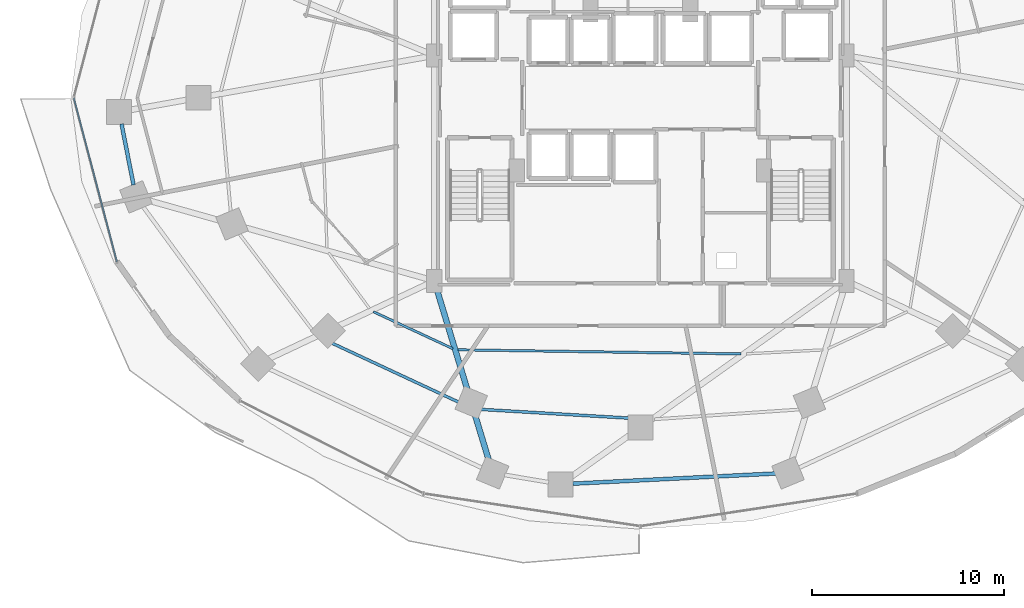
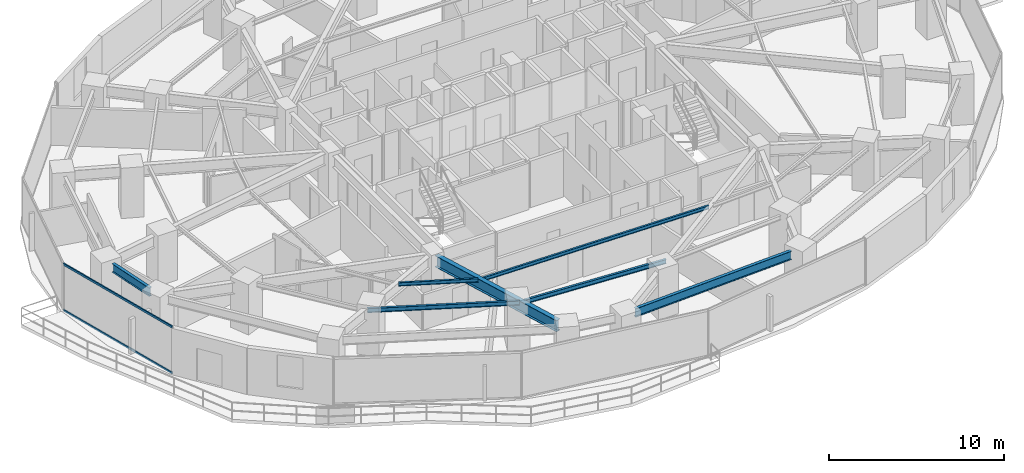
# One storey, part 6 of 33: 7 beams, 2 members, 1 element without a shape of its own.
"""IFC4 building model written with IfcOpenShell, lengths in metres."""

from ifc_helpers import new_model, si_unit, direction, frame, origin, origin_2d, place, context, subcontext, project, spatial, hollow_rectangle, i_section, extrude, material, material_profile, profile_set, type_object, element, aggregate, save


model = new_model("IFC4")

# Units and contexts
model_context = context("Model", 3, precision=1e-05, world=origin(), true_north=direction((0.0, 1.0)))
body_context = subcontext(model_context, "Body", "Model", "MODEL_VIEW")
ifc_project = project(units=[si_unit("LENGTHUNIT", "METRE"), si_unit("AREAUNIT", "SQUARE_METRE"), si_unit("VOLUMEUNIT", "CUBIC_METRE"), si_unit("PLANEANGLEUNIT", "RADIAN"), si_unit("MASSUNIT", "GRAM", prefix="KILO")], contexts=[model_context])

# Site, building, storey
site_placement = place(None, origin())
site = spatial("IfcSite", under=ifc_project, at=site_placement, CompositionType="ELEMENT")
building_placement = place(site_placement, origin())
building = spatial("IfcBuilding", under=site, at=building_placement, Name="Vorneva Point Tower", CompositionType="ELEMENT")
storey_placement = place(building_placement, frame((0.0, 0.0, 34.5)))
storey = spatial("IfcBuildingStorey", under=building, at=storey_placement, Name="L08", CompositionType="ELEMENT", Elevation=34.5)

# Beams
ifc_material_1 = material(Name="Steel S355", Category="steel")
ifc_material_profile_1 = material_profile(ifc_material_1, i_section(OverallWidth=0.300048828125, OverallDepth=0.7880859375, WebThickness=0.014404296875, FlangeThickness=0.02197265625, at=origin_2d()), Name="80Sh1")
ifc_profile_set_1 = profile_set([ifc_material_profile_1], Name="Steel S355")
beam_type_1 = type_object("IfcBeamType", Name="BM-GRD-80Sh1", PredefinedType="USERDEFINED", material=ifc_profile_set_1)
beam_1_placement = place(storey_placement, frame((30.111083984375, 7.045654296875, 2.845947265625), z_axis=(-0.29104183924, 0.956710325967, 0.0), x_axis=(-0.956710325967, -0.29104183924, 0.0)))
element("IfcBeam", 1, at=beam_1_placement, inside=storey, type_object=beam_type_1, Name="L08 Radial Primary Girder 12", ObjectType="GIRDER", PredefinedType="USERDEFINED", context=body_context, shape_type="SweptSolid", body=[
    extrude(i_section(OverallWidth=0.300048828125, OverallDepth=0.7880859375, WebThickness=0.014404296875, FlangeThickness=0.02197265625, at=origin_2d()), origin(), (0.0, 0.0, 1.0), 9.489990234375),
])
ifc_material_profile_2 = material_profile(ifc_material_1, i_section(OverallWidth=0.1240234375, OverallDepth=0.248046875, WebThickness=0.0048828125, FlangeThickness=0.008056640625, at=origin_2d()), Name="25B1")
ifc_profile_set_2 = profile_set([ifc_material_profile_2], Name="Steel S355")
beam_type_2 = type_object("IfcBeamType", Name="BM-JST-25B1", PredefinedType="JOIST", material=ifc_profile_set_2)
beam_2_placement = place(storey_placement, frame((24.078125, 14.839599609375, 3.115966796875), z_axis=(0.906750590893, -0.421667364063, 0.0), x_axis=(0.421667364063, 0.906750590893, 0.0)))
element("IfcBeam", 2, at=beam_2_placement, inside=storey, type_object=beam_type_2, Name="L08 Secondary Floor Beam 2.11", PredefinedType="JOIST", context=body_context, shape_type="SweptSolid", body=[
    extrude(i_section(OverallWidth=0.1240234375, OverallDepth=0.248046875, WebThickness=0.0048828125, FlangeThickness=0.008056640625, at=origin_2d()), origin(), (0.0, 0.0, 1.0), 4.56591796875),
])
beam_3_placement = place(storey_placement, frame((28.4814453125, 12.854248046875, 3.115966796875), z_axis=(0.999894266609, -0.014541513049, 0.0), x_axis=(0.014541513049, 0.999894266609, 0.0)))
element("IfcBeam", 3, at=beam_3_placement, inside=storey, type_object=beam_type_2, Name="L08 Secondary Floor Beam 2.12", PredefinedType="JOIST", context=body_context, shape_type="SweptSolid", body=[
    extrude(i_section(OverallWidth=0.1240234375, OverallDepth=0.248046875, WebThickness=0.0048828125, FlangeThickness=0.008056640625, at=origin_2d()), origin(), (0.0, 0.0, 1.0), 14.7744140625),
])
ifc_material_profile_3 = material_profile(ifc_material_1, i_section(OverallWidth=0.14892578125, OverallDepth=0.298095703125, WebThickness=0.005615234375, FlangeThickness=0.008056640625, at=origin_2d()), Name="30B1")
ifc_profile_set_3 = profile_set([ifc_material_profile_3], Name="Steel S355")
beam_type_3 = type_object("IfcBeamType", Name="BM-JST-30B1", PredefinedType="JOIST", material=ifc_profile_set_3)
beam_4_placement = place(storey_placement, frame((21.2548828125, 13.510498046875, 3.091064453125), z_axis=(0.906403355504, -0.422413253971, 0.0), x_axis=(0.422413253971, 0.906403355504, 0.0)))
element("IfcBeam", 4, at=beam_4_placement, inside=storey, type_object=beam_type_3, Name="L08 Secondary Floor Beam 1.11", PredefinedType="JOIST", context=body_context, shape_type="SweptSolid", body=[
    extrude(i_section(OverallWidth=0.14892578125, OverallDepth=0.298095703125, WebThickness=0.005615234375, FlangeThickness=0.008056640625, at=origin_2d()), origin(), (0.0, 0.0, 1.0), 8.718505859375),
])
beam_5_placement = place(storey_placement, frame((29.42041015625, 9.76123046875, 3.091064453125), z_axis=(0.998280877654, -0.058611341146, 0.0), x_axis=(0.058611341146, 0.998280877654, 0.0)))
element("IfcBeam", 5, at=beam_5_placement, inside=storey, type_object=beam_type_3, Name="L08 Secondary Floor Beam 1.12", PredefinedType="JOIST", context=body_context, shape_type="SweptSolid", body=[
    extrude(i_section(OverallWidth=0.14892578125, OverallDepth=0.298095703125, WebThickness=0.005615234375, FlangeThickness=0.008056640625, at=origin_2d()), origin(), (0.0, 0.0, 1.0), 9.051513671875),
])
ifc_material_profile_4 = material_profile(ifc_material_1, i_section(OverallWidth=0.198974609375, OverallDepth=0.595947265625, WebThickness=0.010009765625, FlangeThickness=0.014892578125, at=origin_2d()), Name="60B1")
ifc_profile_set_4 = profile_set([ifc_material_profile_4], Name="Steel S355")
beam_type_4 = type_object("IfcBeamType", Name="BM-SPN-60B1", PredefinedType="SPANDREL", material=ifc_profile_set_4)
beam_6_placement = place(storey_placement, frame((10.940185546875, 24.6376953125, 2.94189453125), z_axis=(0.192701334008, -0.981257456467, 0.0), x_axis=(0.981257456467, 0.192701334008, 0.0)))
element("IfcBeam", 6, at=beam_6_placement, inside=storey, type_object=beam_type_4, Name="L08 Perimeter Spandrel Ring Beam 09", PredefinedType="SPANDREL", context=body_context, shape_type="SweptSolid", body=[
    extrude(i_section(OverallWidth=0.198974609375, OverallDepth=0.595947265625, WebThickness=0.010009765625, FlangeThickness=0.014892578125, at=origin_2d()), origin(), (0.0, 0.0, 1.0), 3.245849609375),
])
beam_7_placement = place(storey_placement, frame((34.474609375, 5.87158203125, 2.94189453125), z_axis=(0.998742793008, 0.050128169866, 0.0), x_axis=(-0.050128169866, 0.998742793008, 0.0)))
element("IfcBeam", 7, at=beam_7_placement, inside=storey, type_object=beam_type_4, Name="L08 Perimeter Spandrel Ring Beam 13", PredefinedType="SPANDREL", context=body_context, shape_type="SweptSolid", body=[
    extrude(i_section(OverallWidth=0.198974609375, OverallDepth=0.595947265625, WebThickness=0.010009765625, FlangeThickness=0.014892578125, at=origin_2d()), origin(), (0.0, 0.0, 1.0), 10.607666015625),
])

# Curtain wall, members
ifc_material_2 = material(Name="Pale anodised aluminium", Category="aluminium")
curtain_wall_type = type_object("IfcCurtainWallType", Name="CW-HTL-SYS", PredefinedType="NOTDEFINED", material=ifc_material_2)
curtain_wall_placement = place(storey_placement, origin())
curtain_wall = element("IfcCurtainWall", 8, at=curtain_wall_placement, inside=storey, type_object=curtain_wall_type, Name="L08 Unitised Curtain Wall CW-L08-R03", PredefinedType="NOTDEFINED")
ifc_material_profile_5 = material_profile(ifc_material_2, hollow_rectangle(XDim=0.074951171875, YDim=0.14990234375, WallThickness=0.00390625, at=origin_2d()), Name="AL-TRN 150x75x4")
ifc_profile_set_5 = profile_set([ifc_material_profile_5], Name="Pale anodised aluminium")
member_type = type_object("IfcMemberType", Name="CW-TRN-150", PredefinedType="USERDEFINED", material=ifc_profile_set_5)
member_1_placement = place(storey_placement, frame((8.449951171875, 26.0, 0.02001953125), z_axis=(0.254358772746, -0.967109928978, 0.0), x_axis=(0.967109928978, 0.254358772746, 0.0)))
member_1 = element("IfcMember", 9, at=member_1_placement, type_object=member_type, Name="CW-L08-R03 Transom 03.1", ObjectType="TRANSOM", PredefinedType="USERDEFINED", context=body_context, shape_type="SweptSolid", body=[
    extrude(hollow_rectangle(XDim=0.074951171875, YDim=0.14990234375, WallThickness=0.00390625, at=origin_2d()), origin(), (0.0, 0.0, 1.0), 8.84375),
])
member_2_placement = place(storey_placement, frame((8.449951171875, 26.0, 3.219970703125), z_axis=(0.254358772746, -0.967109928978, 0.0), x_axis=(0.967109928978, 0.254358772746, 0.0)))
member_2 = element("IfcMember", 10, at=member_2_placement, type_object=member_type, Name="CW-L08-R03 Transom 03.2", ObjectType="TRANSOM", PredefinedType="USERDEFINED", context=body_context, shape_type="SweptSolid", body=[
    extrude(hollow_rectangle(XDim=0.074951171875, YDim=0.14990234375, WallThickness=0.00390625, at=origin_2d()), origin(), (0.0, 0.0, 1.0), 8.84375),
])
aggregate(curtain_wall, [member_1, member_2])

save(model, "model.ifc")
